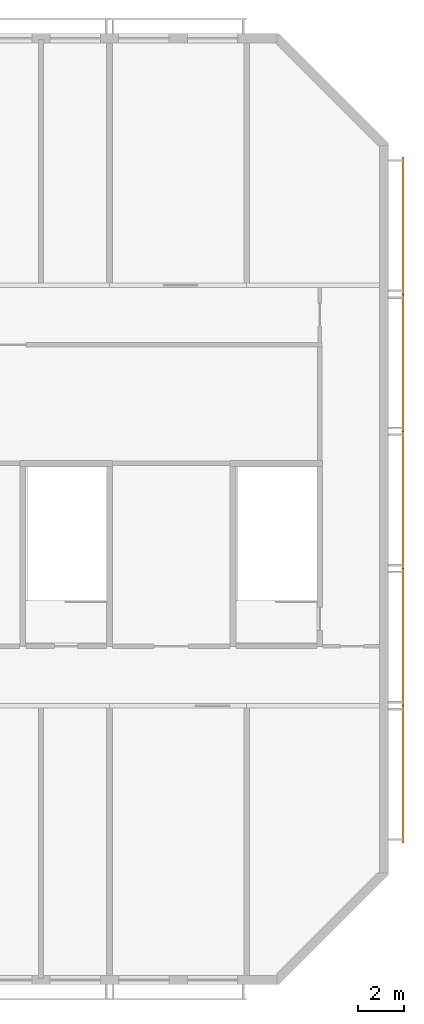
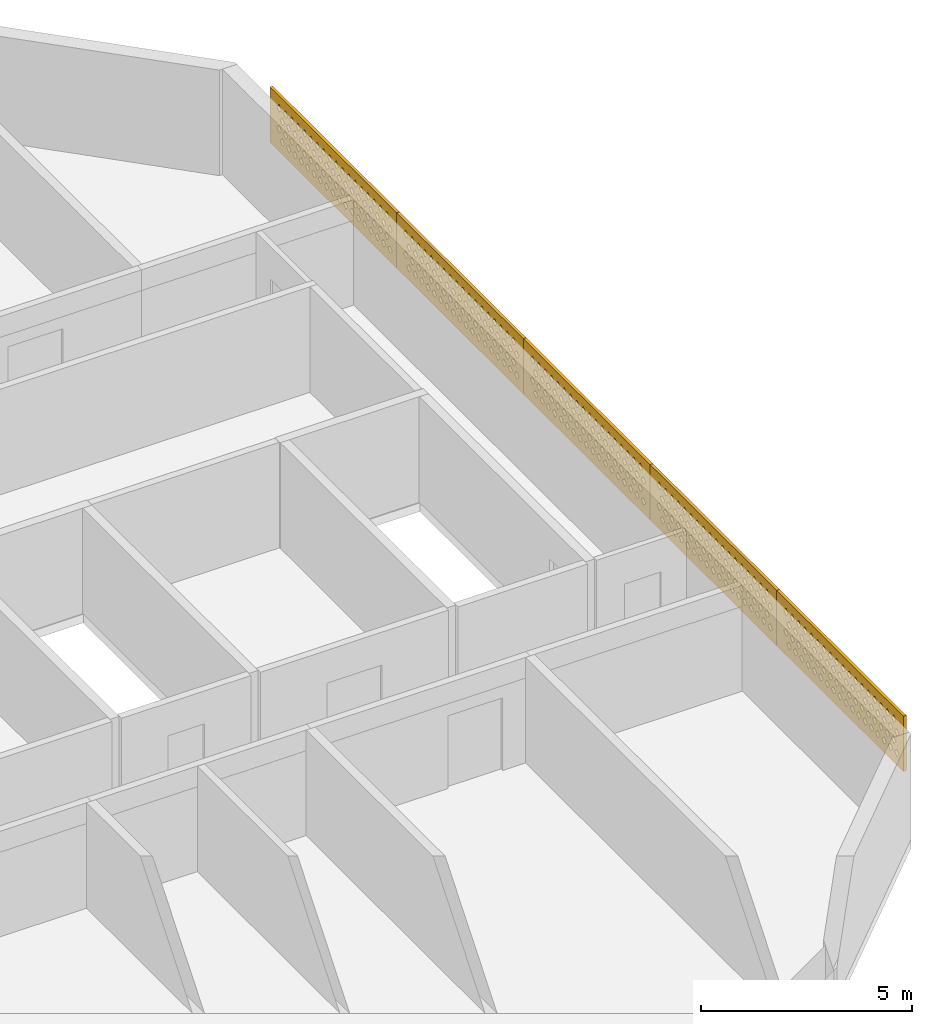
# One storey, part 16 of 16: 5 coverings.
"""IFC4 building model written with IfcOpenShell, lengths in metres."""

import ifcopenshell
import ifcopenshell.guid

model = None  # the IFC model being written
_history = None  # IfcOwnerHistory: only IFC2X3 demands one
_inside = {}  # id of a spatial element -> (the spatial element, [elements in it])
_under = {}  # id of a project, library or spatial element -> (it, [spatial elements below it])
_declared = {}  # id of a project -> (the project, [libraries it declares])
_typed = {}  # id of a type object -> (the type object, [elements of that type])
_made_of = {}  # id of a material, layer set ... -> (it, [elements and type objects made of it])


def new_model(schema):
    """Start an empty IFC model of exactly this schema.

    Asked for "IFC4X3", IfcOpenShell would pick the latest addendum, in which some entities
    have other attributes; the version numbers below select the first issue.
    IFC2X3 requires an IfcOwnerHistory on every rooted entity: one is made here for all.
    """
    global model, _history
    if schema == "IFC4X3":
        model = ifcopenshell.file(schema_version=(4, 3, 0, 0))
    else:
        model = ifcopenshell.file(schema=schema)
    _inside.clear()
    _under.clear()
    _declared.clear()
    _typed.clear()
    _made_of.clear()
    _history = None
    if model.schema == "IFC2X3":
        org = make("IfcOrganization", Name="unknown")
        user = make(
            "IfcPersonAndOrganization",
            ThePerson=make("IfcPerson", FamilyName="unknown"),
            TheOrganization=org,
        )
        app = make(
            "IfcApplication",
            ApplicationDeveloper=org,
            Version="unknown",
            ApplicationFullName="unknown",
            ApplicationIdentifier="unknown",
        )
        _history = make(
            "IfcOwnerHistory",
            OwningUser=user,
            OwningApplication=app,
            ChangeAction="ADDED",
            CreationDate=0,
        )
    return model


def make(cls, **values):
    """One entity of the class cls with the attributes given. An attribute that is None is left unset."""
    return model.create_entity(
        cls, **{name: value for name, value in values.items() if value is not None}
    )


def rooted(cls, **values):
    """An entity with a GlobalId (a new one), such as an element, a storey or a relation."""
    return make(cls, GlobalId=ifcopenshell.guid.new(), OwnerHistory=_history, **values)


def si_unit(unit_type, name, prefix=None):
    """IfcSIUnit, for example si_unit("LENGTHUNIT", "METRE", prefix="MILLI")."""
    return make("IfcSIUnit", UnitType=unit_type, Prefix=prefix, Name=name)


def assignment(units):
    """IfcUnitAssignment: the units of a project."""
    return None if units is None else make("IfcUnitAssignment", Units=units)


def point(xyz):
    """IfcCartesianPoint."""
    return None if xyz is None else make("IfcCartesianPoint", Coordinates=xyz)


def direction(xyz):
    """IfcDirection."""
    return None if xyz is None else make("IfcDirection", DirectionRatios=xyz)


def frame(location, z_axis=None, x_axis=None):
    """IfcAxis2Placement3D, a coordinate frame: its origin and axes. An axis left out is left unset."""
    return make(
        "IfcAxis2Placement3D",
        Location=point(location),
        Axis=direction(z_axis),
        RefDirection=direction(x_axis),
    )


def origin():
    """The frame at (0, 0, 0) with its axes left unset."""
    return frame((0.0, 0.0, 0.0))


def place(relative_to, where):
    """IfcLocalPlacement: puts the frame where relative to a parent placement (None: the world)."""
    return make(
        "IfcLocalPlacement", PlacementRelTo=relative_to, RelativePlacement=where
    )


def context(
    kind, dimensions, precision=None, world=None, true_north=None, identifier=None
):
    """IfcGeometricRepresentationContext, for example the 3D "Model" context."""
    return make(
        "IfcGeometricRepresentationContext",
        ContextIdentifier=identifier,
        ContextType=kind,
        CoordinateSpaceDimension=dimensions,
        Precision=precision,
        WorldCoordinateSystem=world,
        TrueNorth=true_north,
    )


def subcontext(parent, identifier, kind, view, scale=None):
    """IfcGeometricRepresentationSubContext, for example "Body" below "Model"."""
    return make(
        "IfcGeometricRepresentationSubContext",
        ContextIdentifier=identifier,
        ContextType=kind,
        ParentContext=parent,
        TargetScale=scale,
        TargetView=view,
    )


def project(units=None, contexts=None):
    """IfcProject with its units and contexts."""
    return rooted(
        "IfcProject",
        Name="project",
        RepresentationContexts=contexts,
        UnitsInContext=assignment(units),
    )


def spatial(cls, under=None, at=None, **own):
    """A site, building, storey or space (cls), placed at a placement, below another one or the project."""
    s = rooted(cls, ObjectPlacement=at, **own)
    if under is not None:
        _under.setdefault(under.id(), (under, []))[1].append(s)
    return s


def polyline(points):
    """IfcPolyline through the points."""
    return make("IfcPolyline", Points=[point(p) for p in points])


def outline(outer, holes=None, kind="AREA"):
    """IfcArbitraryClosedProfileDef: a profile drawn as a closed curve; with holes, ...WithVoids."""
    if holes is None:
        return make("IfcArbitraryClosedProfileDef", ProfileType=kind, OuterCurve=outer)
    return make(
        "IfcArbitraryProfileDefWithVoids",
        ProfileType=kind,
        OuterCurve=outer,
        InnerCurves=holes,
    )


def extrude(swept, where, along, depth):
    """IfcExtrudedAreaSolid: the profile swept, set in the frame where, extruded along a direction by depth."""
    return make(
        "IfcExtrudedAreaSolid",
        SweptArea=swept,
        Position=where,
        ExtrudedDirection=direction(along),
        Depth=depth,
    )


def shape(context_of_items, identifier, shape_type, items):
    """IfcShapeRepresentation: the items that make up one representation, for example the "Body"."""
    return make(
        "IfcShapeRepresentation",
        ContextOfItems=context_of_items,
        RepresentationIdentifier=identifier,
        RepresentationType=shape_type,
        Items=items,
    )


def source(mapping_origin, context_of_items, identifier, shape_type, items):
    """IfcRepresentationMap: a shape defined once, which mapped items show again and again."""
    return make(
        "IfcRepresentationMap",
        MappingOrigin=mapping_origin,
        MappedRepresentation=shape(context_of_items, identifier, shape_type, items),
    )


def transform(
    local_origin,
    x_axis=None,
    y_axis=None,
    z_axis=None,
    scale=None,
    scale2=None,
    scale3=None,
    uniform=True,
):
    """IfcCartesianTransformationOperator3D, or its non-uniform kind. x_axis, y_axis, z_axis: its Axis1, 2, 3."""
    if uniform:
        return make(
            "IfcCartesianTransformationOperator3D",
            Axis1=direction(x_axis),
            Axis2=direction(y_axis),
            LocalOrigin=point(local_origin),
            Scale=scale,
            Axis3=direction(z_axis),
        )
    return make(
        "IfcCartesianTransformationOperator3DnonUniform",
        Axis1=direction(x_axis),
        Axis2=direction(y_axis),
        LocalOrigin=point(local_origin),
        Scale=scale,
        Axis3=direction(z_axis),
        Scale2=scale2,
        Scale3=scale3,
    )


def mapped(mapping_source, mapping_target):
    """IfcMappedItem: shows the shape of a source again, moved by a transform."""
    return make(
        "IfcMappedItem", MappingSource=mapping_source, MappingTarget=mapping_target
    )


def material(Name=None, Category=None):
    """IfcMaterial."""
    return make("IfcMaterial", Name=Name, Category=Category)


def material_profile(
    of_material, cross_section, Name=None, Category=None, Priority=None
):
    """IfcMaterialProfile: a cross section and its material."""
    return make(
        "IfcMaterialProfile",
        Name=Name,
        Material=of_material,
        Profile=cross_section,
        Priority=Priority,
        Category=Category,
    )


def profile_set(profiles, Name=None, composite=None):
    """IfcMaterialProfileSet."""
    return make(
        "IfcMaterialProfileSet",
        Name=Name,
        MaterialProfiles=profiles,
        CompositeProfile=composite,
    )


def made_of(thing, what):
    """Note that an element or type object is made of a material, layer set ...; save() writes the relation."""
    if what is not None:
        _made_of.setdefault(what.id(), (what, []))[1].append(thing)
    return thing


def type_object(cls, material=None, **own):
    """A type object (cls), such as IfcWallType, which elements share."""
    return made_of(rooted(cls, **own), material)


def element(
    cls,
    number,
    at=None,
    inside=None,
    cuts=None,
    type_object=None,
    material=None,
    context=None,
    identifier="Body",
    shape_type=None,
    held_by="IfcProductDefinitionShape",
    body=None,
    shapes=None,
    **own,
):
    """One element of the class cls, such as IfcWall. Its Tag is "e" and its number.

    at: its placement. inside: the storey or other place that contains it. cuts: it is an
    opening in that element (IfcRelVoidsElement). A single representation is given by context,
    identifier, shape_type and body (its items); several are given by shapes. held_by: the class
    of the entity that holds the representations. save() writes the other relations.
    """
    e = rooted(cls, Tag="e%d" % number, ObjectPlacement=at, **own)
    if body is not None:
        shapes = [shape(context, identifier, shape_type, body)]
    if shapes is not None:
        e.Representation = make(held_by, Representations=shapes)
    if inside is not None:
        _inside.setdefault(inside.id(), (inside, []))[1].append(e)
    if cuts is not None:
        rooted(
            "IfcRelVoidsElement", RelatingBuildingElement=cuts, RelatedOpeningElement=e
        )
    if type_object is not None:
        _typed.setdefault(type_object.id(), (type_object, []))[1].append(e)
    return made_of(e, material)


def aggregate(whole, parts):
    """IfcRelAggregates: a whole, such as a stair, and the parts it consists of."""
    return rooted("IfcRelAggregates", RelatingObject=whole, RelatedObjects=parts)


def save(model, path):
    """Write the relations noted so far, then the file.

    IfcRelAggregates (storeys below a building ...), IfcRelContainedInSpatialStructure (elements
    in a storey), IfcRelDefinesByType, IfcRelAssociatesMaterial and IfcRelDeclares: one each for
    every whole, place, type object, material and project.
    """
    for whole, parts in _under.values():
        aggregate(whole, parts)
    for where, things in _inside.values():
        rooted(
            "IfcRelContainedInSpatialStructure",
            RelatedElements=things,
            RelatingStructure=where,
        )
    for kind, things in _typed.values():
        rooted("IfcRelDefinesByType", RelatedObjects=things, RelatingType=kind)
    for what, things in _made_of.values():
        rooted("IfcRelAssociatesMaterial", RelatedObjects=things, RelatingMaterial=what)
    for by, libraries in _declared.values():
        rooted("IfcRelDeclares", RelatingContext=by, RelatedDefinitions=libraries)
    model.write(path)


model = new_model("IFC4")

# Units and contexts
model_context = context("Model", 3, precision=1e-05, world=origin(), true_north=direction((0.0, 1.0)))
body_context = subcontext(model_context, "Body", "Model", "MODEL_VIEW")
ifc_project = project(units=[si_unit("LENGTHUNIT", "METRE"), si_unit("AREAUNIT", "SQUARE_METRE"), si_unit("VOLUMEUNIT", "CUBIC_METRE"), si_unit("PLANEANGLEUNIT", "RADIAN"), si_unit("MASSUNIT", "GRAM", prefix="KILO")], contexts=[model_context])

# Site, building, storey
site_placement = place(None, origin())
site = spatial("IfcSite", under=ifc_project, at=site_placement, CompositionType="ELEMENT")
building_placement = place(site_placement, origin())
building = spatial("IfcBuilding", under=site, at=building_placement, Name="Poui Terraces", CompositionType="ELEMENT")
storey_placement = place(building_placement, frame((0.0, 0.0, 282.300048828125)))
storey = spatial("IfcBuildingStorey", under=building, at=storey_placement, Name="L78 CROWN", CompositionType="ELEMENT", Elevation=282.300048828125)

# Coverings
ifc_material = material(Name="Terracotta screen", Category="masonry")
ifc_material_profile = material_profile(ifc_material, outline(polyline([(-3.0, -0.800048828125), (3.0, -0.800048828125), (3.0, 0.800048828125), (-3.0, 0.800048828125), (-3.0, -0.800048828125)]), holes=[polyline([(-2.800048828125, -0.449951171875), (-2.68994140625, -0.56005859375), (-2.580078125, -0.449951171875), (-2.68994140625, -0.340087890625), (-2.800048828125, -0.449951171875)]), polyline([(-2.5, -0.449951171875), (-2.389892578125, -0.56005859375), (-2.280029296875, -0.449951171875), (-2.389892578125, -0.340087890625), (-2.5, -0.449951171875)]), polyline([(-2.199951171875, -0.449951171875), (-2.090087890625, -0.56005859375), (-1.97998046875, -0.449951171875), (-2.090087890625, -0.340087890625), (-2.199951171875, -0.449951171875)]), polyline([(-1.89990234375, -0.449951171875), (-1.7900390625, -0.56005859375), (-1.679931640625, -0.449951171875), (-1.7900390625, -0.340087890625), (-1.89990234375, -0.449951171875)]), polyline([(-1.60009765625, -0.449951171875), (-1.489990234375, -0.56005859375), (-1.3798828125, -0.449951171875), (-1.489990234375, -0.340087890625), (-1.60009765625, -0.449951171875)]), polyline([(-1.300048828125, -0.449951171875), (-1.18994140625, -0.56005859375), (-1.080078125, -0.449951171875), (-1.18994140625, -0.340087890625), (-1.300048828125, -0.449951171875)]), polyline([(-1.0, -0.449951171875), (-0.889892578125, -0.56005859375), (-0.780029296875, -0.449951171875), (-0.889892578125, -0.340087890625), (-1.0, -0.449951171875)]), polyline([(-0.699951171875, -0.449951171875), (-0.590087890625, -0.56005859375), (-0.47998046875, -0.449951171875), (-0.590087890625, -0.340087890625), (-0.699951171875, -0.449951171875)]), polyline([(-0.39990234375, -0.449951171875), (-0.2900390625, -0.56005859375), (-0.179931640625, -0.449951171875), (-0.2900390625, -0.340087890625), (-0.39990234375, -0.449951171875)]), polyline([(-0.10009765625, -0.449951171875), (0.010009765625, -0.56005859375), (0.1201171875, -0.449951171875), (0.010009765625, -0.340087890625), (-0.10009765625, -0.449951171875)]), polyline([(0.199951171875, -0.449951171875), (0.31005859375, -0.56005859375), (0.419921875, -0.449951171875), (0.31005859375, -0.340087890625), (0.199951171875, -0.449951171875)]), polyline([(0.5, -0.449951171875), (0.610107421875, -0.56005859375), (0.719970703125, -0.449951171875), (0.610107421875, -0.340087890625), (0.5, -0.449951171875)]), polyline([(0.800048828125, -0.449951171875), (0.909912109375, -0.56005859375), (1.02001953125, -0.449951171875), (0.909912109375, -0.340087890625), (0.800048828125, -0.449951171875)]), polyline([(1.10009765625, -0.449951171875), (1.2099609375, -0.56005859375), (1.320068359375, -0.449951171875), (1.2099609375, -0.340087890625), (1.10009765625, -0.449951171875)]), polyline([(1.39990234375, -0.449951171875), (1.510009765625, -0.56005859375), (1.6201171875, -0.449951171875), (1.510009765625, -0.340087890625), (1.39990234375, -0.449951171875)]), polyline([(1.699951171875, -0.449951171875), (1.81005859375, -0.56005859375), (1.919921875, -0.449951171875), (1.81005859375, -0.340087890625), (1.699951171875, -0.449951171875)]), polyline([(2.0, -0.449951171875), (2.110107421875, -0.56005859375), (2.219970703125, -0.449951171875), (2.110107421875, -0.340087890625), (2.0, -0.449951171875)]), polyline([(2.300048828125, -0.449951171875), (2.409912109375, -0.56005859375), (2.52001953125, -0.449951171875), (2.409912109375, -0.340087890625), (2.300048828125, -0.449951171875)]), polyline([(-2.64990234375, -0.14990234375), (-2.5400390625, -0.260009765625), (-2.429931640625, -0.14990234375), (-2.5400390625, -0.0400390625), (-2.64990234375, -0.14990234375)]), polyline([(-2.35009765625, -0.14990234375), (-2.239990234375, -0.260009765625), (-2.1298828125, -0.14990234375), (-2.239990234375, -0.0400390625), (-2.35009765625, -0.14990234375)]), polyline([(-2.050048828125, -0.14990234375), (-1.93994140625, -0.260009765625), (-1.830078125, -0.14990234375), (-1.93994140625, -0.0400390625), (-2.050048828125, -0.14990234375)]), polyline([(-1.75, -0.14990234375), (-1.639892578125, -0.260009765625), (-1.530029296875, -0.14990234375), (-1.639892578125, -0.0400390625), (-1.75, -0.14990234375)]), polyline([(-1.449951171875, -0.14990234375), (-1.340087890625, -0.260009765625), (-1.22998046875, -0.14990234375), (-1.340087890625, -0.0400390625), (-1.449951171875, -0.14990234375)]), polyline([(-1.14990234375, -0.14990234375), (-1.0400390625, -0.260009765625), (-0.929931640625, -0.14990234375), (-1.0400390625, -0.0400390625), (-1.14990234375, -0.14990234375)]), polyline([(-0.85009765625, -0.14990234375), (-0.739990234375, -0.260009765625), (-0.6298828125, -0.14990234375), (-0.739990234375, -0.0400390625), (-0.85009765625, -0.14990234375)]), polyline([(-0.550048828125, -0.14990234375), (-0.43994140625, -0.260009765625), (-0.330078125, -0.14990234375), (-0.43994140625, -0.0400390625), (-0.550048828125, -0.14990234375)]), polyline([(-0.25, -0.14990234375), (-0.139892578125, -0.260009765625), (-0.030029296875, -0.14990234375), (-0.139892578125, -0.0400390625), (-0.25, -0.14990234375)]), polyline([(0.050048828125, -0.14990234375), (0.159912109375, -0.260009765625), (0.27001953125, -0.14990234375), (0.159912109375, -0.0400390625), (0.050048828125, -0.14990234375)]), polyline([(0.35009765625, -0.14990234375), (0.4599609375, -0.260009765625), (0.570068359375, -0.14990234375), (0.4599609375, -0.0400390625), (0.35009765625, -0.14990234375)]), polyline([(0.64990234375, -0.14990234375), (0.760009765625, -0.260009765625), (0.8701171875, -0.14990234375), (0.760009765625, -0.0400390625), (0.64990234375, -0.14990234375)]), polyline([(0.949951171875, -0.14990234375), (1.06005859375, -0.260009765625), (1.169921875, -0.14990234375), (1.06005859375, -0.0400390625), (0.949951171875, -0.14990234375)]), polyline([(1.25, -0.14990234375), (1.360107421875, -0.260009765625), (1.469970703125, -0.14990234375), (1.360107421875, -0.0400390625), (1.25, -0.14990234375)]), polyline([(1.550048828125, -0.14990234375), (1.659912109375, -0.260009765625), (1.77001953125, -0.14990234375), (1.659912109375, -0.0400390625), (1.550048828125, -0.14990234375)]), polyline([(1.85009765625, -0.14990234375), (1.9599609375, -0.260009765625), (2.070068359375, -0.14990234375), (1.9599609375, -0.0400390625), (1.85009765625, -0.14990234375)]), polyline([(2.14990234375, -0.14990234375), (2.260009765625, -0.260009765625), (2.3701171875, -0.14990234375), (2.260009765625, -0.0400390625), (2.14990234375, -0.14990234375)]), polyline([(2.449951171875, -0.14990234375), (2.56005859375, -0.260009765625), (2.669921875, -0.14990234375), (2.56005859375, -0.0400390625), (2.449951171875, -0.14990234375)]), polyline([(-2.800048828125, 0.14990234375), (-2.68994140625, 0.0400390625), (-2.580078125, 0.14990234375), (-2.68994140625, 0.260009765625), (-2.800048828125, 0.14990234375)]), polyline([(-2.5, 0.14990234375), (-2.389892578125, 0.0400390625), (-2.280029296875, 0.14990234375), (-2.389892578125, 0.260009765625), (-2.5, 0.14990234375)]), polyline([(-2.199951171875, 0.14990234375), (-2.090087890625, 0.0400390625), (-1.97998046875, 0.14990234375), (-2.090087890625, 0.260009765625), (-2.199951171875, 0.14990234375)]), polyline([(-1.89990234375, 0.14990234375), (-1.7900390625, 0.0400390625), (-1.679931640625, 0.14990234375), (-1.7900390625, 0.260009765625), (-1.89990234375, 0.14990234375)]), polyline([(-1.60009765625, 0.14990234375), (-1.489990234375, 0.0400390625), (-1.3798828125, 0.14990234375), (-1.489990234375, 0.260009765625), (-1.60009765625, 0.14990234375)]), polyline([(-1.300048828125, 0.14990234375), (-1.18994140625, 0.0400390625), (-1.080078125, 0.14990234375), (-1.18994140625, 0.260009765625), (-1.300048828125, 0.14990234375)]), polyline([(-1.0, 0.14990234375), (-0.889892578125, 0.0400390625), (-0.780029296875, 0.14990234375), (-0.889892578125, 0.260009765625), (-1.0, 0.14990234375)]), polyline([(-0.699951171875, 0.14990234375), (-0.590087890625, 0.0400390625), (-0.47998046875, 0.14990234375), (-0.590087890625, 0.260009765625), (-0.699951171875, 0.14990234375)]), polyline([(-0.39990234375, 0.14990234375), (-0.2900390625, 0.0400390625), (-0.179931640625, 0.14990234375), (-0.2900390625, 0.260009765625), (-0.39990234375, 0.14990234375)]), polyline([(-0.10009765625, 0.14990234375), (0.010009765625, 0.0400390625), (0.1201171875, 0.14990234375), (0.010009765625, 0.260009765625), (-0.10009765625, 0.14990234375)]), polyline([(0.199951171875, 0.14990234375), (0.31005859375, 0.0400390625), (0.419921875, 0.14990234375), (0.31005859375, 0.260009765625), (0.199951171875, 0.14990234375)]), polyline([(0.5, 0.14990234375), (0.610107421875, 0.0400390625), (0.719970703125, 0.14990234375), (0.610107421875, 0.260009765625), (0.5, 0.14990234375)]), polyline([(0.800048828125, 0.14990234375), (0.909912109375, 0.0400390625), (1.02001953125, 0.14990234375), (0.909912109375, 0.260009765625), (0.800048828125, 0.14990234375)]), polyline([(1.10009765625, 0.14990234375), (1.2099609375, 0.0400390625), (1.320068359375, 0.14990234375), (1.2099609375, 0.260009765625), (1.10009765625, 0.14990234375)]), polyline([(1.39990234375, 0.14990234375), (1.510009765625, 0.0400390625), (1.6201171875, 0.14990234375), (1.510009765625, 0.260009765625), (1.39990234375, 0.14990234375)]), polyline([(1.699951171875, 0.14990234375), (1.81005859375, 0.0400390625), (1.919921875, 0.14990234375), (1.81005859375, 0.260009765625), (1.699951171875, 0.14990234375)]), polyline([(2.0, 0.14990234375), (2.110107421875, 0.0400390625), (2.219970703125, 0.14990234375), (2.110107421875, 0.260009765625), (2.0, 0.14990234375)]), polyline([(2.300048828125, 0.14990234375), (2.409912109375, 0.0400390625), (2.52001953125, 0.14990234375), (2.409912109375, 0.260009765625), (2.300048828125, 0.14990234375)]), polyline([(-2.64990234375, 0.449951171875), (-2.5400390625, 0.340087890625), (-2.429931640625, 0.449951171875), (-2.5400390625, 0.56005859375), (-2.64990234375, 0.449951171875)]), polyline([(-2.35009765625, 0.449951171875), (-2.239990234375, 0.340087890625), (-2.1298828125, 0.449951171875), (-2.239990234375, 0.56005859375), (-2.35009765625, 0.449951171875)]), polyline([(-2.050048828125, 0.449951171875), (-1.93994140625, 0.340087890625), (-1.830078125, 0.449951171875), (-1.93994140625, 0.56005859375), (-2.050048828125, 0.449951171875)]), polyline([(-1.75, 0.449951171875), (-1.639892578125, 0.340087890625), (-1.530029296875, 0.449951171875), (-1.639892578125, 0.56005859375), (-1.75, 0.449951171875)]), polyline([(-1.449951171875, 0.449951171875), (-1.340087890625, 0.340087890625), (-1.22998046875, 0.449951171875), (-1.340087890625, 0.56005859375), (-1.449951171875, 0.449951171875)]), polyline([(-1.14990234375, 0.449951171875), (-1.0400390625, 0.340087890625), (-0.929931640625, 0.449951171875), (-1.0400390625, 0.56005859375), (-1.14990234375, 0.449951171875)]), polyline([(-0.85009765625, 0.449951171875), (-0.739990234375, 0.340087890625), (-0.6298828125, 0.449951171875), (-0.739990234375, 0.56005859375), (-0.85009765625, 0.449951171875)]), polyline([(-0.550048828125, 0.449951171875), (-0.43994140625, 0.340087890625), (-0.330078125, 0.449951171875), (-0.43994140625, 0.56005859375), (-0.550048828125, 0.449951171875)]), polyline([(-0.25, 0.449951171875), (-0.139892578125, 0.340087890625), (-0.030029296875, 0.449951171875), (-0.139892578125, 0.56005859375), (-0.25, 0.449951171875)]), polyline([(0.050048828125, 0.449951171875), (0.159912109375, 0.340087890625), (0.27001953125, 0.449951171875), (0.159912109375, 0.56005859375), (0.050048828125, 0.449951171875)]), polyline([(0.35009765625, 0.449951171875), (0.4599609375, 0.340087890625), (0.570068359375, 0.449951171875), (0.4599609375, 0.56005859375), (0.35009765625, 0.449951171875)]), polyline([(0.64990234375, 0.449951171875), (0.760009765625, 0.340087890625), (0.8701171875, 0.449951171875), (0.760009765625, 0.56005859375), (0.64990234375, 0.449951171875)]), polyline([(0.949951171875, 0.449951171875), (1.06005859375, 0.340087890625), (1.169921875, 0.449951171875), (1.06005859375, 0.56005859375), (0.949951171875, 0.449951171875)]), polyline([(1.25, 0.449951171875), (1.360107421875, 0.340087890625), (1.469970703125, 0.449951171875), (1.360107421875, 0.56005859375), (1.25, 0.449951171875)]), polyline([(1.550048828125, 0.449951171875), (1.659912109375, 0.340087890625), (1.77001953125, 0.449951171875), (1.659912109375, 0.56005859375), (1.550048828125, 0.449951171875)]), polyline([(1.85009765625, 0.449951171875), (1.9599609375, 0.340087890625), (2.070068359375, 0.449951171875), (1.9599609375, 0.56005859375), (1.85009765625, 0.449951171875)]), polyline([(2.14990234375, 0.449951171875), (2.260009765625, 0.340087890625), (2.3701171875, 0.449951171875), (2.260009765625, 0.56005859375), (2.14990234375, 0.449951171875)]), polyline([(2.449951171875, 0.449951171875), (2.56005859375, 0.340087890625), (2.669921875, 0.449951171875), (2.56005859375, 0.56005859375), (2.449951171875, 0.449951171875)])]), Name="TERRACOTTA SOLAR SCREEN 6000X1600")
ifc_profile_set = profile_set([ifc_material_profile], Name="Terracotta screen")
covering_type = type_object("IfcCoveringType", Name="TERRACOTTA SOLAR SCREEN 6000X1600", PredefinedType="CLADDING", material=ifc_profile_set)
shared_shape = source(origin(), body_context, "Body", "SweptSolid", [
    extrude(outline(polyline([(-3.0, -0.800048828125), (3.0, -0.800048828125), (3.0, 0.800048828125), (-3.0, 0.800048828125), (-3.0, -0.800048828125)]), holes=[polyline([(-2.800048828125, -0.449951171875), (-2.68994140625, -0.56005859375), (-2.580078125, -0.449951171875), (-2.68994140625, -0.340087890625), (-2.800048828125, -0.449951171875)]), polyline([(-2.5, -0.449951171875), (-2.389892578125, -0.56005859375), (-2.280029296875, -0.449951171875), (-2.389892578125, -0.340087890625), (-2.5, -0.449951171875)]), polyline([(-2.199951171875, -0.449951171875), (-2.090087890625, -0.56005859375), (-1.97998046875, -0.449951171875), (-2.090087890625, -0.340087890625), (-2.199951171875, -0.449951171875)]), polyline([(-1.89990234375, -0.449951171875), (-1.7900390625, -0.56005859375), (-1.679931640625, -0.449951171875), (-1.7900390625, -0.340087890625), (-1.89990234375, -0.449951171875)]), polyline([(-1.60009765625, -0.449951171875), (-1.489990234375, -0.56005859375), (-1.3798828125, -0.449951171875), (-1.489990234375, -0.340087890625), (-1.60009765625, -0.449951171875)]), polyline([(-1.300048828125, -0.449951171875), (-1.18994140625, -0.56005859375), (-1.080078125, -0.449951171875), (-1.18994140625, -0.340087890625), (-1.300048828125, -0.449951171875)]), polyline([(-1.0, -0.449951171875), (-0.889892578125, -0.56005859375), (-0.780029296875, -0.449951171875), (-0.889892578125, -0.340087890625), (-1.0, -0.449951171875)]), polyline([(-0.699951171875, -0.449951171875), (-0.590087890625, -0.56005859375), (-0.47998046875, -0.449951171875), (-0.590087890625, -0.340087890625), (-0.699951171875, -0.449951171875)]), polyline([(-0.39990234375, -0.449951171875), (-0.2900390625, -0.56005859375), (-0.179931640625, -0.449951171875), (-0.2900390625, -0.340087890625), (-0.39990234375, -0.449951171875)]), polyline([(-0.10009765625, -0.449951171875), (0.010009765625, -0.56005859375), (0.1201171875, -0.449951171875), (0.010009765625, -0.340087890625), (-0.10009765625, -0.449951171875)]), polyline([(0.199951171875, -0.449951171875), (0.31005859375, -0.56005859375), (0.419921875, -0.449951171875), (0.31005859375, -0.340087890625), (0.199951171875, -0.449951171875)]), polyline([(0.5, -0.449951171875), (0.610107421875, -0.56005859375), (0.719970703125, -0.449951171875), (0.610107421875, -0.340087890625), (0.5, -0.449951171875)]), polyline([(0.800048828125, -0.449951171875), (0.909912109375, -0.56005859375), (1.02001953125, -0.449951171875), (0.909912109375, -0.340087890625), (0.800048828125, -0.449951171875)]), polyline([(1.10009765625, -0.449951171875), (1.2099609375, -0.56005859375), (1.320068359375, -0.449951171875), (1.2099609375, -0.340087890625), (1.10009765625, -0.449951171875)]), polyline([(1.39990234375, -0.449951171875), (1.510009765625, -0.56005859375), (1.6201171875, -0.449951171875), (1.510009765625, -0.340087890625), (1.39990234375, -0.449951171875)]), polyline([(1.699951171875, -0.449951171875), (1.81005859375, -0.56005859375), (1.919921875, -0.449951171875), (1.81005859375, -0.340087890625), (1.699951171875, -0.449951171875)]), polyline([(2.0, -0.449951171875), (2.110107421875, -0.56005859375), (2.219970703125, -0.449951171875), (2.110107421875, -0.340087890625), (2.0, -0.449951171875)]), polyline([(2.300048828125, -0.449951171875), (2.409912109375, -0.56005859375), (2.52001953125, -0.449951171875), (2.409912109375, -0.340087890625), (2.300048828125, -0.449951171875)]), polyline([(-2.64990234375, -0.14990234375), (-2.5400390625, -0.260009765625), (-2.429931640625, -0.14990234375), (-2.5400390625, -0.0400390625), (-2.64990234375, -0.14990234375)]), polyline([(-2.35009765625, -0.14990234375), (-2.239990234375, -0.260009765625), (-2.1298828125, -0.14990234375), (-2.239990234375, -0.0400390625), (-2.35009765625, -0.14990234375)]), polyline([(-2.050048828125, -0.14990234375), (-1.93994140625, -0.260009765625), (-1.830078125, -0.14990234375), (-1.93994140625, -0.0400390625), (-2.050048828125, -0.14990234375)]), polyline([(-1.75, -0.14990234375), (-1.639892578125, -0.260009765625), (-1.530029296875, -0.14990234375), (-1.639892578125, -0.0400390625), (-1.75, -0.14990234375)]), polyline([(-1.449951171875, -0.14990234375), (-1.340087890625, -0.260009765625), (-1.22998046875, -0.14990234375), (-1.340087890625, -0.0400390625), (-1.449951171875, -0.14990234375)]), polyline([(-1.14990234375, -0.14990234375), (-1.0400390625, -0.260009765625), (-0.929931640625, -0.14990234375), (-1.0400390625, -0.0400390625), (-1.14990234375, -0.14990234375)]), polyline([(-0.85009765625, -0.14990234375), (-0.739990234375, -0.260009765625), (-0.6298828125, -0.14990234375), (-0.739990234375, -0.0400390625), (-0.85009765625, -0.14990234375)]), polyline([(-0.550048828125, -0.14990234375), (-0.43994140625, -0.260009765625), (-0.330078125, -0.14990234375), (-0.43994140625, -0.0400390625), (-0.550048828125, -0.14990234375)]), polyline([(-0.25, -0.14990234375), (-0.139892578125, -0.260009765625), (-0.030029296875, -0.14990234375), (-0.139892578125, -0.0400390625), (-0.25, -0.14990234375)]), polyline([(0.050048828125, -0.14990234375), (0.159912109375, -0.260009765625), (0.27001953125, -0.14990234375), (0.159912109375, -0.0400390625), (0.050048828125, -0.14990234375)]), polyline([(0.35009765625, -0.14990234375), (0.4599609375, -0.260009765625), (0.570068359375, -0.14990234375), (0.4599609375, -0.0400390625), (0.35009765625, -0.14990234375)]), polyline([(0.64990234375, -0.14990234375), (0.760009765625, -0.260009765625), (0.8701171875, -0.14990234375), (0.760009765625, -0.0400390625), (0.64990234375, -0.14990234375)]), polyline([(0.949951171875, -0.14990234375), (1.06005859375, -0.260009765625), (1.169921875, -0.14990234375), (1.06005859375, -0.0400390625), (0.949951171875, -0.14990234375)]), polyline([(1.25, -0.14990234375), (1.360107421875, -0.260009765625), (1.469970703125, -0.14990234375), (1.360107421875, -0.0400390625), (1.25, -0.14990234375)]), polyline([(1.550048828125, -0.14990234375), (1.659912109375, -0.260009765625), (1.77001953125, -0.14990234375), (1.659912109375, -0.0400390625), (1.550048828125, -0.14990234375)]), polyline([(1.85009765625, -0.14990234375), (1.9599609375, -0.260009765625), (2.070068359375, -0.14990234375), (1.9599609375, -0.0400390625), (1.85009765625, -0.14990234375)]), polyline([(2.14990234375, -0.14990234375), (2.260009765625, -0.260009765625), (2.3701171875, -0.14990234375), (2.260009765625, -0.0400390625), (2.14990234375, -0.14990234375)]), polyline([(2.449951171875, -0.14990234375), (2.56005859375, -0.260009765625), (2.669921875, -0.14990234375), (2.56005859375, -0.0400390625), (2.449951171875, -0.14990234375)]), polyline([(-2.800048828125, 0.14990234375), (-2.68994140625, 0.0400390625), (-2.580078125, 0.14990234375), (-2.68994140625, 0.260009765625), (-2.800048828125, 0.14990234375)]), polyline([(-2.5, 0.14990234375), (-2.389892578125, 0.0400390625), (-2.280029296875, 0.14990234375), (-2.389892578125, 0.260009765625), (-2.5, 0.14990234375)]), polyline([(-2.199951171875, 0.14990234375), (-2.090087890625, 0.0400390625), (-1.97998046875, 0.14990234375), (-2.090087890625, 0.260009765625), (-2.199951171875, 0.14990234375)]), polyline([(-1.89990234375, 0.14990234375), (-1.7900390625, 0.0400390625), (-1.679931640625, 0.14990234375), (-1.7900390625, 0.260009765625), (-1.89990234375, 0.14990234375)]), polyline([(-1.60009765625, 0.14990234375), (-1.489990234375, 0.0400390625), (-1.3798828125, 0.14990234375), (-1.489990234375, 0.260009765625), (-1.60009765625, 0.14990234375)]), polyline([(-1.300048828125, 0.14990234375), (-1.18994140625, 0.0400390625), (-1.080078125, 0.14990234375), (-1.18994140625, 0.260009765625), (-1.300048828125, 0.14990234375)]), polyline([(-1.0, 0.14990234375), (-0.889892578125, 0.0400390625), (-0.780029296875, 0.14990234375), (-0.889892578125, 0.260009765625), (-1.0, 0.14990234375)]), polyline([(-0.699951171875, 0.14990234375), (-0.590087890625, 0.0400390625), (-0.47998046875, 0.14990234375), (-0.590087890625, 0.260009765625), (-0.699951171875, 0.14990234375)]), polyline([(-0.39990234375, 0.14990234375), (-0.2900390625, 0.0400390625), (-0.179931640625, 0.14990234375), (-0.2900390625, 0.260009765625), (-0.39990234375, 0.14990234375)]), polyline([(-0.10009765625, 0.14990234375), (0.010009765625, 0.0400390625), (0.1201171875, 0.14990234375), (0.010009765625, 0.260009765625), (-0.10009765625, 0.14990234375)]), polyline([(0.199951171875, 0.14990234375), (0.31005859375, 0.0400390625), (0.419921875, 0.14990234375), (0.31005859375, 0.260009765625), (0.199951171875, 0.14990234375)]), polyline([(0.5, 0.14990234375), (0.610107421875, 0.0400390625), (0.719970703125, 0.14990234375), (0.610107421875, 0.260009765625), (0.5, 0.14990234375)]), polyline([(0.800048828125, 0.14990234375), (0.909912109375, 0.0400390625), (1.02001953125, 0.14990234375), (0.909912109375, 0.260009765625), (0.800048828125, 0.14990234375)]), polyline([(1.10009765625, 0.14990234375), (1.2099609375, 0.0400390625), (1.320068359375, 0.14990234375), (1.2099609375, 0.260009765625), (1.10009765625, 0.14990234375)]), polyline([(1.39990234375, 0.14990234375), (1.510009765625, 0.0400390625), (1.6201171875, 0.14990234375), (1.510009765625, 0.260009765625), (1.39990234375, 0.14990234375)]), polyline([(1.699951171875, 0.14990234375), (1.81005859375, 0.0400390625), (1.919921875, 0.14990234375), (1.81005859375, 0.260009765625), (1.699951171875, 0.14990234375)]), polyline([(2.0, 0.14990234375), (2.110107421875, 0.0400390625), (2.219970703125, 0.14990234375), (2.110107421875, 0.260009765625), (2.0, 0.14990234375)]), polyline([(2.300048828125, 0.14990234375), (2.409912109375, 0.0400390625), (2.52001953125, 0.14990234375), (2.409912109375, 0.260009765625), (2.300048828125, 0.14990234375)]), polyline([(-2.64990234375, 0.449951171875), (-2.5400390625, 0.340087890625), (-2.429931640625, 0.449951171875), (-2.5400390625, 0.56005859375), (-2.64990234375, 0.449951171875)]), polyline([(-2.35009765625, 0.449951171875), (-2.239990234375, 0.340087890625), (-2.1298828125, 0.449951171875), (-2.239990234375, 0.56005859375), (-2.35009765625, 0.449951171875)]), polyline([(-2.050048828125, 0.449951171875), (-1.93994140625, 0.340087890625), (-1.830078125, 0.449951171875), (-1.93994140625, 0.56005859375), (-2.050048828125, 0.449951171875)]), polyline([(-1.75, 0.449951171875), (-1.639892578125, 0.340087890625), (-1.530029296875, 0.449951171875), (-1.639892578125, 0.56005859375), (-1.75, 0.449951171875)]), polyline([(-1.449951171875, 0.449951171875), (-1.340087890625, 0.340087890625), (-1.22998046875, 0.449951171875), (-1.340087890625, 0.56005859375), (-1.449951171875, 0.449951171875)]), polyline([(-1.14990234375, 0.449951171875), (-1.0400390625, 0.340087890625), (-0.929931640625, 0.449951171875), (-1.0400390625, 0.56005859375), (-1.14990234375, 0.449951171875)]), polyline([(-0.85009765625, 0.449951171875), (-0.739990234375, 0.340087890625), (-0.6298828125, 0.449951171875), (-0.739990234375, 0.56005859375), (-0.85009765625, 0.449951171875)]), polyline([(-0.550048828125, 0.449951171875), (-0.43994140625, 0.340087890625), (-0.330078125, 0.449951171875), (-0.43994140625, 0.56005859375), (-0.550048828125, 0.449951171875)]), polyline([(-0.25, 0.449951171875), (-0.139892578125, 0.340087890625), (-0.030029296875, 0.449951171875), (-0.139892578125, 0.56005859375), (-0.25, 0.449951171875)]), polyline([(0.050048828125, 0.449951171875), (0.159912109375, 0.340087890625), (0.27001953125, 0.449951171875), (0.159912109375, 0.56005859375), (0.050048828125, 0.449951171875)]), polyline([(0.35009765625, 0.449951171875), (0.4599609375, 0.340087890625), (0.570068359375, 0.449951171875), (0.4599609375, 0.56005859375), (0.35009765625, 0.449951171875)]), polyline([(0.64990234375, 0.449951171875), (0.760009765625, 0.340087890625), (0.8701171875, 0.449951171875), (0.760009765625, 0.56005859375), (0.64990234375, 0.449951171875)]), polyline([(0.949951171875, 0.449951171875), (1.06005859375, 0.340087890625), (1.169921875, 0.449951171875), (1.06005859375, 0.56005859375), (0.949951171875, 0.449951171875)]), polyline([(1.25, 0.449951171875), (1.360107421875, 0.340087890625), (1.469970703125, 0.449951171875), (1.360107421875, 0.56005859375), (1.25, 0.449951171875)]), polyline([(1.550048828125, 0.449951171875), (1.659912109375, 0.340087890625), (1.77001953125, 0.449951171875), (1.659912109375, 0.56005859375), (1.550048828125, 0.449951171875)]), polyline([(1.85009765625, 0.449951171875), (1.9599609375, 0.340087890625), (2.070068359375, 0.449951171875), (1.9599609375, 0.56005859375), (1.85009765625, 0.449951171875)]), polyline([(2.14990234375, 0.449951171875), (2.260009765625, 0.340087890625), (2.3701171875, 0.449951171875), (2.260009765625, 0.56005859375), (2.14990234375, 0.449951171875)]), polyline([(2.449951171875, 0.449951171875), (2.56005859375, 0.340087890625), (2.669921875, 0.449951171875), (2.56005859375, 0.56005859375), (2.449951171875, 0.449951171875)])]), origin(), (0.0, 0.0, 1.0), 0.079833984375),
])
for number, where, z_axis, x_axis, name in (
    (1, (84.800048828125, 9.0, 1.699951171875), (1.0, 0.0, 0.0), (0.0, 1.0, 0.0), "SOLAR SCREEN"),
    (2, (84.800048828125, 15.0, 1.699951171875), (1.0, 0.0, 0.0), (0.0, 1.0, 0.0), "SOLAR SCREEN"),
    (3, (84.800048828125, 21.0, 1.699951171875), (1.0, 0.0, 0.0), (0.0, 1.0, 0.0), "SOLAR SCREEN"),
    (4, (84.800048828125, 27.0, 1.699951171875), (1.0, 0.0, 0.0), (0.0, 1.0, 0.0), "SOLAR SCREEN"),
    (5, (84.800048828125, 33.0, 1.699951171875), (1.0, 0.0, 0.0), (0.0, 1.0, 0.0), "SOLAR SCREEN"),
):
    element("IfcCovering", number, at=place(storey_placement, frame(where, z_axis=z_axis, x_axis=x_axis)), inside=storey, type_object=covering_type, Name=name, PredefinedType="CLADDING", context=body_context, shape_type="MappedRepresentation", body=[
        mapped(shared_shape, transform((0.0, 0.0, 0.0))),
    ])

save(model, "model.ifc")
